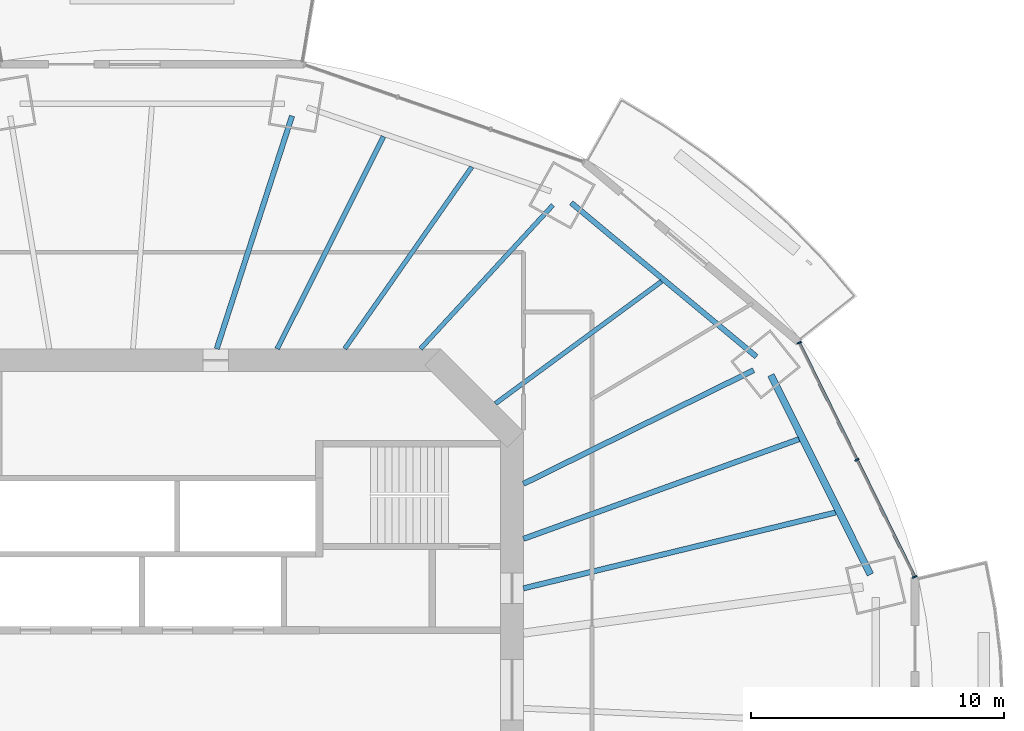
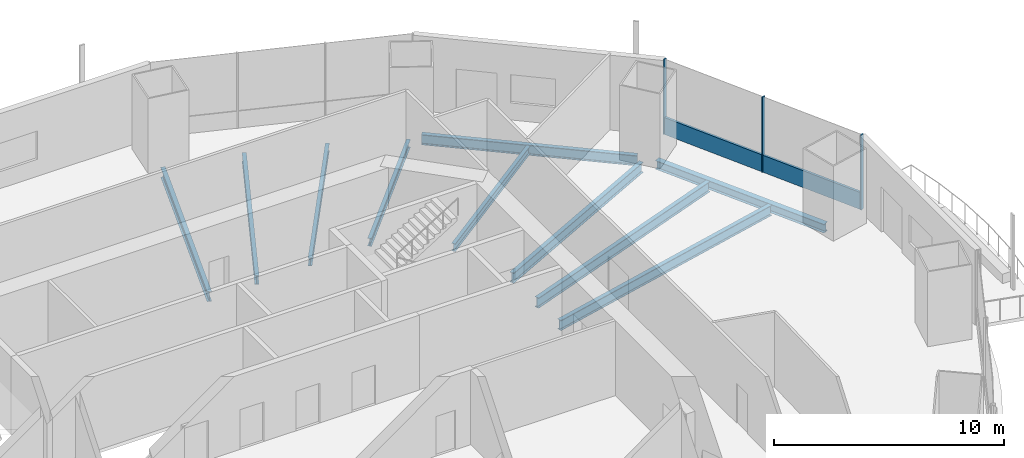
# One storey, part 7 of 19: 10 beams, 4 members, 1 element without a shape of its own.
"""IFC4 building model written with IfcOpenShell, lengths in metres."""

from ifc_helpers import new_model, si_unit, direction, frame, origin, origin_2d, place, context, subcontext, project, spatial, rectangle, i_section, extrude, material, material_profile, profile_set, type_object, element, aggregate, save


model = new_model("IFC4")

# Units and contexts
model_context = context("Model", 3, precision=1e-05, world=origin(), true_north=direction((0.0, 1.0)))
body_context = subcontext(model_context, "Body", "Model", "MODEL_VIEW")
ifc_project = project(units=[si_unit("LENGTHUNIT", "METRE"), si_unit("AREAUNIT", "SQUARE_METRE"), si_unit("VOLUMEUNIT", "CUBIC_METRE"), si_unit("PLANEANGLEUNIT", "RADIAN"), si_unit("MASSUNIT", "GRAM", prefix="KILO")], contexts=[model_context])

# Site, building, storey
site_placement = place(None, origin())
site = spatial("IfcSite", under=ifc_project, at=site_placement, CompositionType="ELEMENT")
building_placement = place(site_placement, origin())
building = spatial("IfcBuilding", under=site, at=building_placement, Name="Marenthal Gate Tower", CompositionType="ELEMENT")
storey_placement = place(building_placement, frame((0.0, 0.0, 231.60009765625)))
storey = spatial("IfcBuildingStorey", under=building, at=storey_placement, Name="L51", CompositionType="ELEMENT", Elevation=231.60009765625)

# Curtain wall, members
ifc_material_1 = material(Name="Aluminium and glass", Category="aluminium")
curtain_wall_type = type_object("IfcCurtainWallType", Name="Curtain wall typical mid", PredefinedType="NOTDEFINED", material=ifc_material_1)
curtain_wall_placement = place(storey_placement, origin())
curtain_wall = element("IfcCurtainWall", 1, at=curtain_wall_placement, inside=storey, type_object=curtain_wall_type, Name="Curtain wall L51 bay 1", PredefinedType="NOTDEFINED")
ifc_material_2 = material(Name="Aluminium", Category="aluminium")
ifc_material_profile_1 = material_profile(ifc_material_2, rectangle(XDim=0.179931640625, YDim=0.06005859375, at=origin_2d()), Name="60x180 aluminium mullion")
ifc_profile_set_1 = profile_set([ifc_material_profile_1], Name="Aluminium")
member_type_1 = type_object("IfcMemberType", Name="Mullion 60x180 typical mid", PredefinedType="MULLION", material=ifc_profile_set_1)
member_1_placement = place(storey_placement, frame((31.885009765625, 4.453369140625, 0.0), z_axis=(0.0, 0.0, 1.0), x_axis=(-0.896797507361, -0.442441217329, 0.0)))
member_1 = element("IfcMember", 2, at=member_1_placement, type_object=member_type_1, Name="Mullion L51 bay 1.1", PredefinedType="MULLION", context=body_context, shape_type="SweptSolid", body=[
    extrude(rectangle(XDim=0.179931640625, YDim=0.06005859375, at=origin_2d()), origin(), (0.0, 0.0, 1.0), 3.969970703125),
])
member_2_placement = place(storey_placement, frame((29.607177734375, 9.0703125, 0.0), z_axis=(0.0, 0.0, 1.0), x_axis=(-0.896797507361, -0.442441217329, 0.0)))
member_2 = element("IfcMember", 3, at=member_2_placement, type_object=member_type_1, Name="Mullion L51 bay 1.2", PredefinedType="MULLION", context=body_context, shape_type="SweptSolid", body=[
    extrude(rectangle(XDim=0.179931640625, YDim=0.06005859375, at=origin_2d()), origin(), (0.0, 0.0, 1.0), 3.969970703125),
])
member_3_placement = place(storey_placement, frame((27.329345703125, 13.687255859375, 0.0), z_axis=(0.0, 0.0, 1.0), x_axis=(-0.896797507361, -0.442441217329, 0.0)))
member_3 = element("IfcMember", 4, at=member_3_placement, type_object=member_type_1, Name="Mullion L51 bay 1.3", PredefinedType="MULLION", context=body_context, shape_type="SweptSolid", body=[
    extrude(rectangle(XDim=0.179931640625, YDim=0.06005859375, at=origin_2d()), origin(), (0.0, 0.0, 1.0), 3.969970703125),
])
ifc_material_3 = material(Name="Aluminium", Category="aluminium")
ifc_material_profile_2 = material_profile(ifc_material_3, rectangle(XDim=0.1201171875, YDim=0.89990234375, at=origin_2d()), Name="120x900 aluminium transom")
ifc_profile_set_2 = profile_set([ifc_material_profile_2], Name="Aluminium")
member_type_2 = type_object("IfcMemberType", Name="Transom 120x900 typical mid", PredefinedType="USERDEFINED", material=ifc_profile_set_2)
member_4_placement = place(storey_placement, frame((31.871826171875, 4.480224609375, 0.449951171875), z_axis=(-0.442437279824, 0.896799449945, 0.0), x_axis=(-0.896799449945, -0.442437279824, 0.0)))
member_4 = element("IfcMember", 5, at=member_4_placement, type_object=member_type_2, Name="Transom L51 bay 1", ObjectType="TRANSOM", PredefinedType="USERDEFINED", context=body_context, shape_type="SweptSolid", body=[
    extrude(rectangle(XDim=0.1201171875, YDim=0.89990234375, at=origin_2d()), origin(), (0.0, 0.0, 1.0), 10.236572265625),
])
aggregate(curtain_wall, [member_1, member_2, member_3, member_4])

# Beams
ifc_material_4 = material(Name="Steel S355", Category="steel")
ifc_material_profile_3 = material_profile(ifc_material_4, i_section(OverallWidth=0.180908203125, OverallDepth=0.4169921875, WebThickness=0.010986328125, FlangeThickness=0.018310546875, FilletRadius=0.01025390625, at=origin_2d()), Name="W410X85")
ifc_profile_set_3 = profile_set([ifc_material_profile_3], Name="Steel S355")
beam_type_1 = type_object("IfcBeamType", Name="W410X85 beam", PredefinedType="BEAM", material=ifc_profile_set_3)
beam_1_placement = place(storey_placement, frame((17.61328125, 19.1201171875, -0.388671875), z_axis=(-0.677536620466, -0.735489039978, 0.0), x_axis=(0.735489039978, -0.677536620466, 0.0)))
element("IfcBeam", 6, at=beam_1_placement, inside=storey, type_object=beam_type_1, Name="BM-L51-03", PredefinedType="BEAM", context=body_context, shape_type="SweptSolid", body=[
    extrude(i_section(OverallWidth=0.180908203125, OverallDepth=0.4169921875, WebThickness=0.010986328125, FlangeThickness=0.018310546875, FilletRadius=0.01025390625, at=origin_2d()), origin(), (0.0, 0.0, 1.0), 7.70947265625),
])
beam_2_placement = place(storey_placement, frame((21.89892578125, 16.108154296875, -0.388671875), z_axis=(-0.805545235742, -0.592534280168, 0.0), x_axis=(0.592534280168, -0.805545235742, 0.0)))
element("IfcBeam", 7, at=beam_2_placement, inside=storey, type_object=beam_type_1, Name="BM-L51-19", PredefinedType="BEAM", context=body_context, shape_type="SweptSolid", body=[
    extrude(i_section(OverallWidth=0.180908203125, OverallDepth=0.4169921875, WebThickness=0.010986328125, FlangeThickness=0.018310546875, FilletRadius=0.01025390625, at=origin_2d()), origin(), (0.0, 0.0, 1.0), 8.133056640625),
])
beam_3_placement = place(storey_placement, frame((14.410888671875, 20.62255859375, -0.388671875), z_axis=(-0.572801154785, -0.81969435589, 0.0), x_axis=(0.81969435589, -0.572801154785, 0.0)))
element("IfcBeam", 8, at=beam_3_placement, inside=storey, type_object=beam_type_1, Name="BM-L51-20", PredefinedType="BEAM", context=body_context, shape_type="SweptSolid", body=[
    extrude(i_section(OverallWidth=0.180908203125, OverallDepth=0.4169921875, WebThickness=0.010986328125, FlangeThickness=0.018310546875, FilletRadius=0.01025390625, at=origin_2d()), origin(), (0.0, 0.0, 1.0), 8.750244140625),
])
ifc_material_5 = material(Name="Steel S355", Category="steel")
ifc_material_profile_4 = material_profile(ifc_material_5, i_section(OverallWidth=0.279052734375, OverallDepth=0.4619140625, WebThickness=0.0107421875, FlangeThickness=0.017333984375, FilletRadius=0.010009765625, at=origin_2d()), Name="W460X113")
ifc_profile_set_4 = profile_set([ifc_material_profile_4], Name="Steel S355")
beam_type_2 = type_object("IfcBeamType", Name="W460X113 beam", PredefinedType="BEAM", material=ifc_profile_set_4)
beam_4_placement = place(storey_placement, frame((30.13671875, 4.54345703125, -0.4111328125), z_axis=(-0.446158339693, 0.894954041235, 0.0), x_axis=(-0.894954041235, -0.446158339693, 0.0)))
element("IfcBeam", 9, at=beam_4_placement, inside=storey, type_object=beam_type_2, Name="BM-L51-41", PredefinedType="BEAM", context=body_context, shape_type="SweptSolid", body=[
    extrude(i_section(OverallWidth=0.279052734375, OverallDepth=0.4619140625, WebThickness=0.0107421875, FlangeThickness=0.017333984375, FilletRadius=0.010009765625, at=origin_2d()), origin(), (0.0, 0.0, 1.0), 8.794189453125),
])
ifc_material_6 = material(Name="Steel S355", Category="steel")
ifc_material_profile_5 = material_profile(ifc_material_6, i_section(OverallWidth=0.193115234375, OverallDepth=0.467041015625, WebThickness=0.011474609375, FlangeThickness=0.01904296875, FilletRadius=0.010009765625, at=origin_2d()), Name="W460X97")
ifc_profile_set_5 = profile_set([ifc_material_profile_5], Name="Steel S355")
beam_type_3 = type_object("IfcBeamType", Name="W460X97 beam", PredefinedType="BEAM", material=ifc_profile_set_5)
beam_5_placement = place(storey_placement, frame((10.928466796875, 21.82080078125, -0.41357421875), z_axis=(-0.447808070647, -0.894129706398, 0.0), x_axis=(0.894129706398, -0.447808070647, 0.0)))
element("IfcBeam", 10, at=beam_5_placement, inside=storey, type_object=beam_type_3, Name="BM-L51-21", PredefinedType="BEAM", context=body_context, shape_type="SweptSolid", body=[
    extrude(i_section(OverallWidth=0.193115234375, OverallDepth=0.467041015625, WebThickness=0.011474609375, FlangeThickness=0.01904296875, FilletRadius=0.010009765625, at=origin_2d()), origin(), (0.0, 0.0, 1.0), 9.362060546875),
])
ifc_material_7 = material(Name="Steel S355", Category="steel")
ifc_material_profile_6 = material_profile(ifc_material_7, i_section(OverallWidth=0.2099609375, OverallDepth=0.535888671875, WebThickness=0.010986328125, FlangeThickness=0.017333984375, FilletRadius=0.0126953125, at=origin_2d()), Name="W530X101")
ifc_profile_set_6 = profile_set([ifc_material_profile_6], Name="Steel S355")
beam_type_4 = type_object("IfcBeamType", Name="W530X101 beam", PredefinedType="BEAM", material=ifc_profile_set_6)
beam_6_placement = place(storey_placement, frame((7.3212890625, 22.6337890625, -0.447998046875), z_axis=(-0.30776977746, -0.951460857882, 0.0), x_axis=(0.951460857882, -0.30776977746, 0.0)))
element("IfcBeam", 11, at=beam_6_placement, inside=storey, type_object=beam_type_4, Name="BM-L51-04", PredefinedType="BEAM", context=body_context, shape_type="SweptSolid", body=[
    extrude(i_section(OverallWidth=0.2099609375, OverallDepth=0.535888671875, WebThickness=0.010986328125, FlangeThickness=0.017333984375, FilletRadius=0.0126953125, at=origin_2d()), origin(), (0.0, 0.0, 1.0), 9.65234375),
])
ifc_material_8 = material(Name="Steel S355", Category="steel")
ifc_material_profile_7 = material_profile(ifc_material_8, i_section(OverallWidth=0.2119140625, OverallDepth=0.5439453125, WebThickness=0.01318359375, FlangeThickness=0.021240234375, FilletRadius=0.0126953125, at=origin_2d()), Name="W530X123")
ifc_profile_set_7 = profile_set([ifc_material_profile_7], Name="Steel S355")
beam_type_5 = type_object("IfcBeamType", Name="W530X123 beam", PredefinedType="BEAM", material=ifc_profile_set_7)
beam_7_placement = place(storey_placement, frame((25.531982421875, 12.604248046875, -0.4521484375), z_axis=(-0.896691087208, -0.442656858212, 0.0), x_axis=(0.442656858212, -0.896691087208, 0.0)))
element("IfcBeam", 12, at=beam_7_placement, inside=storey, type_object=beam_type_5, Name="BM-L51-02", PredefinedType="BEAM", context=body_context, shape_type="SweptSolid", body=[
    extrude(i_section(OverallWidth=0.2119140625, OverallDepth=0.5439453125, WebThickness=0.01318359375, FlangeThickness=0.021240234375, FilletRadius=0.0126953125, at=origin_2d()), origin(), (0.0, 0.0, 1.0), 10.12841796875),
])
beam_8_placement = place(storey_placement, frame((28.760986328125, 6.990478515625, -0.4521484375), z_axis=(-0.971710884637, -0.236173573199, 0.0), x_axis=(0.236173573199, -0.971710884637, 0.0)))
element("IfcBeam", 13, at=beam_8_placement, inside=storey, type_object=beam_type_5, Name="BM-L51-17", PredefinedType="BEAM", context=body_context, shape_type="SweptSolid", body=[
    extrude(i_section(OverallWidth=0.2119140625, OverallDepth=0.5439453125, WebThickness=0.01318359375, FlangeThickness=0.021240234375, FilletRadius=0.0126953125, at=origin_2d()), origin(), (0.0, 0.0, 1.0), 12.66943359375),
])
beam_9_placement = place(storey_placement, frame((27.319091796875, 9.8828125, -0.4521484375), z_axis=(-0.94035581223, -0.340192513742, 0.0), x_axis=(0.340192513742, -0.94035581223, 0.0)))
element("IfcBeam", 14, at=beam_9_placement, inside=storey, type_object=beam_type_5, Name="BM-L51-18", PredefinedType="BEAM", context=body_context, shape_type="SweptSolid", body=[
    extrude(i_section(OverallWidth=0.2119140625, OverallDepth=0.5439453125, WebThickness=0.01318359375, FlangeThickness=0.021240234375, FilletRadius=0.0126953125, at=origin_2d()), origin(), (0.0, 0.0, 1.0), 11.55859375),
])
beam_10_placement = place(storey_placement, frame((25.641357421875, 13.136474609375, -0.4521484375), z_axis=(-0.769157352218, 0.639059439746, 0.0), x_axis=(-0.639059439746, -0.769157352218, 0.0)))
element("IfcBeam", 15, at=beam_10_placement, inside=storey, type_object=beam_type_5, Name="BM-L51-42", PredefinedType="BEAM", context=body_context, shape_type="SweptSolid", body=[
    extrude(i_section(OverallWidth=0.2119140625, OverallDepth=0.5439453125, WebThickness=0.01318359375, FlangeThickness=0.021240234375, FilletRadius=0.0126953125, at=origin_2d()), origin(), (0.0, 0.0, 1.0), 9.5048828125),
])

save(model, "model.ifc")
